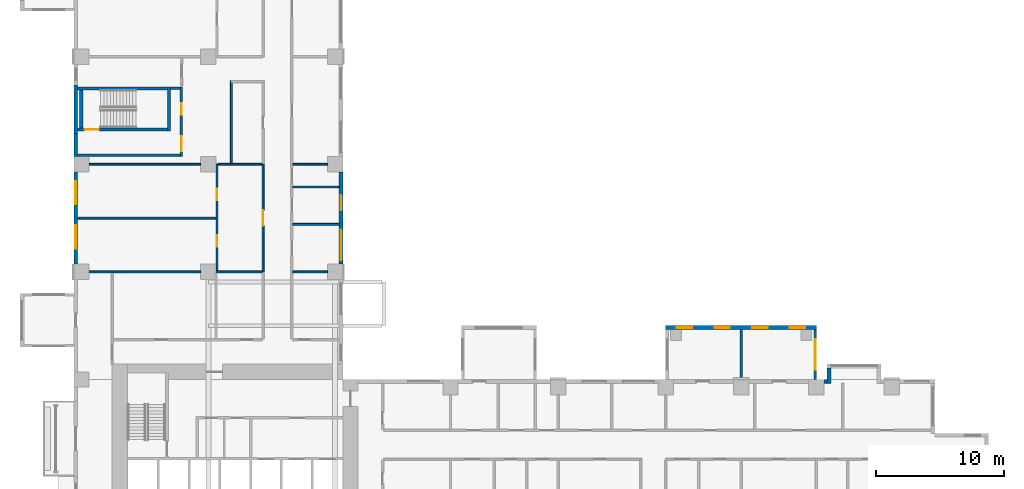
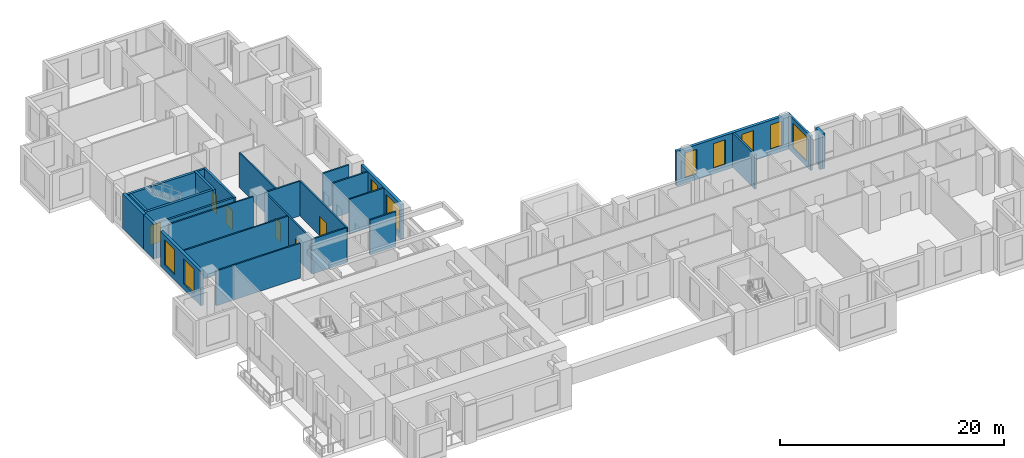
# One storey, part 6 of 14: 29 walls, 9 windows, 6 doors, 15 openings.
"""IFC4 building model written with IfcOpenShell, lengths in metres."""

from ifc_helpers import new_model, si_unit, direction, frame, frame_2d, origin, place, context, subcontext, project, spatial, rectangle, extrude, source, transform, mapped, material, layer, layer_set, type_object, element, fill, save


model = new_model("IFC4")

# Units and contexts
model_context = context("Model", 3, precision=1e-05, world=origin(), true_north=direction((0.0, 1.0)))
body_context = subcontext(model_context, "Body", "Model", "MODEL_VIEW")
ifc_project = project(units=[si_unit("LENGTHUNIT", "METRE"), si_unit("AREAUNIT", "SQUARE_METRE"), si_unit("VOLUMEUNIT", "CUBIC_METRE"), si_unit("PLANEANGLEUNIT", "RADIAN"), si_unit("MASSUNIT", "GRAM", prefix="KILO")], contexts=[model_context])

# Site, building, storey
site_placement = place(None, origin())
site = spatial("IfcSite", under=ifc_project, at=site_placement, CompositionType="ELEMENT")
building_placement = place(site_placement, origin())
building = spatial("IfcBuilding", under=site, at=building_placement, Name="Aurelian Terraces", CompositionType="ELEMENT")
storey_placement = place(building_placement, frame((0.0, 0.0, 57.3)))
storey = spatial("IfcBuildingStorey", under=building, at=storey_placement, Name="L11", CompositionType="ELEMENT", Elevation=57.3)

# Wall, openings, windows
ifc_material_1 = material(Name="Terracotta rainscreen cladding", Category="masonry")
ifc_layer_1 = layer(ifc_material_1, 0.3)
ifc_layer_set_1 = layer_set([ifc_layer_1], Name="EW-300")
wall_type_1 = type_object("IfcWallType", Name="EW-300", PredefinedType="STANDARD", material=ifc_layer_set_1)
shared_shape_1 = source(origin(), body_context, "Body", "SweptSolid", [
    extrude(rectangle(XDim=7.2, YDim=0.3, at=frame_2d((3.6, 0.0))), origin(), (0.0, 0.0, 1.0), 3.8),
])
wall_1_placement = place(storey_placement, frame((20.85, 30.0, 0.0), z_axis=(0.0, 0.0, 1.0), x_axis=(0.0, 1.0, 0.0)))
wall_1 = element("IfcWall", 1, at=wall_1_placement, inside=storey, type_object=wall_type_1, Name="External wall L11 F12.26", PredefinedType="STANDARD", context=body_context, shape_type="MappedRepresentation", body=[
    mapped(shared_shape_1, transform((0.0, 0.0, 0.0), scale=1.0)),
])
shared_shape_2 = source(origin(), body_context, "Body", "SweptSolid", [
    extrude(rectangle(XDim=2.4, YDim=2.7, at=frame_2d((1.2, 1.35))), frame((0.0, 0.16, 0.0), z_axis=(0.0, -1.0, 0.0), x_axis=(1.0, 0.0, 0.0)), (0.0, 0.0, 1.0), 0.32),
])
opening_1_placement = place(wall_1_placement, frame((0.3, 0.0, 0.6)))
opening_1 = element("IfcOpeningElement", 2, at=opening_1_placement, cuts=wall_1, Name="Opening W2427", PredefinedType="OPENING", context=body_context, shape_type="MappedRepresentation", body=[
    mapped(shared_shape_2, transform((0.0, 0.0, 0.0), scale=1.0)),
])
shared_shape_3 = source(origin(), body_context, "Body", "SweptSolid", [
    extrude(rectangle(XDim=1.2, YDim=2.7, at=frame_2d((0.6, 1.35))), frame((0.0, 0.16, 0.0), z_axis=(0.0, -1.0, 0.0), x_axis=(1.0, 0.0, 0.0)), (0.0, 0.0, 1.0), 0.32),
])
opening_2_placement = place(wall_1_placement, frame((4.1995, 0.0, 0.6)))
opening_2 = element("IfcOpeningElement", 3, at=opening_2_placement, cuts=wall_1, Name="Opening W1227", PredefinedType="OPENING", context=body_context, shape_type="MappedRepresentation", body=[
    mapped(shared_shape_3, transform((0.0, 0.0, 0.0), scale=1.0)),
])
ifc_material_2 = material(Name="Clear glazing", Category="glass")
window_type_1 = type_object("IfcWindowType", Name="W-2400x2700", PartitioningType="SINGLE_PANEL", PredefinedType="WINDOW", material=ifc_material_2)
shared_shape_4 = source(origin(), body_context, "Body", "SweptSolid", [
    extrude(rectangle(XDim=2.4, YDim=2.7, at=frame_2d((1.2, 1.35))), frame((0.0, 0.03, 0.0), z_axis=(0.0, -1.0, 0.0), x_axis=(1.0, 0.0, 0.0)), (0.0, 0.0, 1.0), 0.06),
])
window_1_placement = place(opening_1_placement, origin())
window_1 = element("IfcWindow", 4, at=window_1_placement, inside=storey, type_object=window_type_1, Name="Window L11 L11-F12-26-0", OverallHeight=2.7, OverallWidth=2.4, PartitioningType="SINGLE_PANEL", PredefinedType="WINDOW", context=body_context, shape_type="MappedRepresentation", body=[
    mapped(shared_shape_4, transform((0.0, 0.0, 0.0), scale=1.0)),
])
fill(opening_1, window_1)
window_type_2 = type_object("IfcWindowType", Name="W-1200x2700", PartitioningType="SINGLE_PANEL", PredefinedType="WINDOW", material=ifc_material_2)
shared_shape_5 = source(origin(), body_context, "Body", "SweptSolid", [
    extrude(rectangle(XDim=1.2, YDim=2.7, at=frame_2d((0.6, 1.35))), frame((0.0, 0.03, 0.0), z_axis=(0.0, -1.0, 0.0), x_axis=(1.0, 0.0, 0.0)), (0.0, 0.0, 1.0), 0.06),
])
window_2_placement = place(opening_2_placement, origin())
window_2 = element("IfcWindow", 5, at=window_2_placement, inside=storey, type_object=window_type_2, Name="Window L11 L11-F12-26-G0-33", OverallHeight=2.7, OverallWidth=1.2, PartitioningType="SINGLE_PANEL", PredefinedType="WINDOW", context=body_context, shape_type="MappedRepresentation", body=[
    mapped(shared_shape_5, transform((0.0, 0.0, 0.0), scale=1.0)),
])
fill(opening_2, window_2)

wall_2_placement = place(storey_placement, frame((0.15, 37.2, 0.0), z_axis=(0.0, 0.0, 1.0), x_axis=(0.0, -1.0, 0.0)))
wall_2 = element("IfcWall", 6, at=wall_2_placement, inside=storey, type_object=wall_type_1, Name="External wall L11 F18.39", PredefinedType="STANDARD", context=body_context, shape_type="MappedRepresentation", body=[
    mapped(shared_shape_1, transform((0.0, 0.0, 0.0), scale=1.0)),
])
shared_shape_6 = source(origin(), body_context, "Body", "SweptSolid", [
    extrude(rectangle(XDim=1.8, YDim=2.7, at=frame_2d((0.9, 1.35))), frame((0.0, 0.16, 0.0), z_axis=(0.0, -1.0, 0.0), x_axis=(1.0, 0.0, 0.0)), (0.0, 0.0, 1.0), 0.32),
])
opening_3_placement = place(wall_2_placement, frame((0.7375, 0.0, 0.6)))
opening_3 = element("IfcOpeningElement", 7, at=opening_3_placement, cuts=wall_2, Name="Opening W1827", PredefinedType="OPENING", context=body_context, shape_type="MappedRepresentation", body=[
    mapped(shared_shape_6, transform((0.0, 0.0, 0.0), scale=1.0)),
])
opening_4_placement = place(wall_2_placement, frame((4.175, 0.0, 0.6)))
opening_4 = element("IfcOpeningElement", 8, at=opening_4_placement, cuts=wall_2, Name="Opening W1827", PredefinedType="OPENING", context=body_context, shape_type="MappedRepresentation", body=[
    mapped(shared_shape_6, transform((0.0, 0.0, 0.0), scale=1.0)),
])
window_type_3 = type_object("IfcWindowType", Name="W-1800x2700", PartitioningType="SINGLE_PANEL", PredefinedType="WINDOW", material=ifc_material_2)
shared_shape_7 = source(origin(), body_context, "Body", "SweptSolid", [
    extrude(rectangle(XDim=1.8, YDim=2.7, at=frame_2d((0.9, 1.35))), frame((0.0, 0.03, 0.0), z_axis=(0.0, -1.0, 0.0), x_axis=(1.0, 0.0, 0.0)), (0.0, 0.0, 1.0), 0.06),
])
window_3_placement = place(opening_3_placement, origin())
window_3 = element("IfcWindow", 9, at=window_3_placement, inside=storey, type_object=window_type_3, Name="Window L11 L11-F18-39-P6.1", OverallHeight=2.7, OverallWidth=1.8, PartitioningType="SINGLE_PANEL", PredefinedType="WINDOW", context=body_context, shape_type="MappedRepresentation", body=[
    mapped(shared_shape_7, transform((0.0, 0.0, 0.0), scale=1.0)),
])
fill(opening_3, window_3)
window_4_placement = place(opening_4_placement, origin())
window_4 = element("IfcWindow", 10, at=window_4_placement, inside=storey, type_object=window_type_3, Name="Window L11 L11-F18-39-P6.2", OverallHeight=2.7, OverallWidth=1.8, PartitioningType="SINGLE_PANEL", PredefinedType="WINDOW", context=body_context, shape_type="MappedRepresentation", body=[
    mapped(shared_shape_7, transform((0.0, 0.0, 0.0), scale=1.0)),
])
fill(opening_4, window_4)

# Walls
shared_shape_8 = source(origin(), body_context, "Body", "SweptSolid", [
    extrude(rectangle(XDim=1.2, YDim=0.3, at=frame_2d((0.6, 0.0))), origin(), (0.0, 0.0, 1.0), 3.8),
])
wall_3_placement = place(storey_placement, frame((58.95, 20.7, 0.0), z_axis=(0.0, 0.0, 1.0), x_axis=(0.0, 1.0, 0.0)))
element("IfcWall", 11, at=wall_3_placement, inside=storey, type_object=wall_type_1, Name="Bay return L11 F11.22.2", PredefinedType="STANDARD", context=body_context, shape_type="MappedRepresentation", body=[
    mapped(shared_shape_8, transform((0.0, 0.0, 0.0), scale=1.0)),
])
shared_shape_9 = source(origin(), body_context, "Body", "SweptSolid", [
    extrude(rectangle(XDim=0.24, YDim=0.3, at=frame_2d((0.12, 0.0))), origin(), (0.0, 0.0, 1.0), 3.8),
])
wall_4_placement = place(storey_placement, frame((58.8, 20.85, 0.0), z_axis=(0.0, 0.0, 1.0), x_axis=(-1.0, 0.0, 0.0)))
element("IfcWall", 12, at=wall_4_placement, inside=storey, type_object=wall_type_1, Name="External wall L11 F11.23", PredefinedType="STANDARD", context=body_context, shape_type="MappedRepresentation", body=[
    mapped(shared_shape_9, transform((0.0, 0.0, 0.0), scale=1.0)),
])
ifc_material_3 = material(Name="Concrete fc' 40 MPa", Category="concrete")
ifc_layer_2 = layer(ifc_material_3, 0.3)
ifc_layer_set_2 = layer_set([ifc_layer_2], Name="STAIR BAY WALL 300")
wall_type_2 = type_object("IfcWallType", Name="STAIR BAY WALL 300", PredefinedType="SOLIDWALL", material=ifc_layer_set_2)
shared_shape_10 = source(origin(), body_context, "Body", "SweptSolid", [
    extrude(rectangle(XDim=3.8, YDim=0.3, at=frame_2d((1.9, 0.0))), origin(), (0.0, 0.0, 1.0), 3.8),
])
wall_5_placement = place(storey_placement, frame((0.15, 44.0, 0.0), z_axis=(0.0, 0.0, 1.0), x_axis=(0.0, -1.0, 0.0)))
element("IfcWall", 13, at=wall_5_placement, inside=storey, type_object=wall_type_2, Name="Stair bay wall L11 F18.39", PredefinedType="SOLIDWALL", context=body_context, shape_type="MappedRepresentation", body=[
    mapped(shared_shape_10, transform((0.0, 0.0, 0.0), scale=1.0)),
])
shared_shape_11 = source(origin(), body_context, "Body", "SweptSolid", [
    extrude(rectangle(XDim=1.8, YDim=0.3, at=frame_2d((0.9, 0.0))), origin(), (0.0, 0.0, 1.0), 3.8),
])
wall_6_placement = place(storey_placement, frame((0.15, 40.2, 0.0), z_axis=(0.0, 0.0, 1.0), x_axis=(0.0, -1.0, 0.0)))
element("IfcWall", 14, at=wall_6_placement, inside=storey, type_object=wall_type_1, Name="External wall L11 F18.39", PredefinedType="STANDARD", context=body_context, shape_type="MappedRepresentation", body=[
    mapped(shared_shape_11, transform((0.0, 0.0, 0.0), scale=1.0)),
])

# Wall, opening, window
ifc_layer_3 = layer(ifc_material_3, 0.2)
ifc_layer_set_3 = layer_set([ifc_layer_3], Name="BOX BEARING WALL 200")
wall_type_3 = type_object("IfcWallType", Name="BOX BEARING WALL 200", PredefinedType="SOLIDWALL", material=ifc_layer_set_3)
shared_shape_12 = source(origin(), body_context, "Body", "SweptSolid", [
    extrude(rectangle(XDim=3.9, YDim=0.2, at=frame_2d((1.95, 0.0))), origin(), (0.0, 0.0, 1.0), 3.79),
])
wall_7_placement = place(storey_placement, frame((57.86, 21.0, 0.0), z_axis=(0.0, 0.0, 1.0), x_axis=(0.0, 1.0, 0.0)))
wall_7 = element("IfcWall", 15, at=wall_7_placement, inside=storey, type_object=wall_type_3, Name="Box return L11 K01.1", PredefinedType="SOLIDWALL", context=body_context, shape_type="MappedRepresentation", body=[
    mapped(shared_shape_12, transform((0.0, 0.0, 0.0), scale=1.0)),
])
shared_shape_13 = source(origin(), body_context, "Body", "SweptSolid", [
    extrude(rectangle(XDim=2.4, YDim=2.7, at=frame_2d((1.2, 1.35))), frame((0.0, 0.11, 0.0), z_axis=(0.0, -1.0, 0.0), x_axis=(1.0, 0.0, 0.0)), (0.0, 0.0, 1.0), 0.22),
])
opening_5_placement = place(wall_7_placement, frame((0.75, 0.0, 0.6)))
opening_5 = element("IfcOpeningElement", 16, at=opening_5_placement, cuts=wall_7, Name="Opening W2427", PredefinedType="OPENING", context=body_context, shape_type="MappedRepresentation", body=[
    mapped(shared_shape_13, transform((0.0, 0.0, 0.0), scale=1.0)),
])
window_5_placement = place(opening_5_placement, origin())
window_5 = element("IfcWindow", 17, at=window_5_placement, inside=storey, type_object=window_type_1, Name="Window L11 K01-S1", OverallHeight=2.7, OverallWidth=2.4, PartitioningType="SINGLE_PANEL", PredefinedType="WINDOW", context=body_context, shape_type="MappedRepresentation", body=[
    mapped(shared_shape_4, transform((0.0, 0.0, 0.0), scale=1.0)),
])
fill(opening_5, window_5)

# Wall, openings, windows
ifc_layer_4 = layer(ifc_material_3, 0.3)
ifc_layer_set_4 = layer_set([ifc_layer_4], Name="BOX BEARING WALL 300")
wall_type_4 = type_object("IfcWallType", Name="BOX BEARING WALL 300", PredefinedType="SOLIDWALL", material=ifc_layer_set_4)
shared_shape_14 = source(origin(), body_context, "Body", "SweptSolid", [
    extrude(rectangle(XDim=11.76, YDim=0.3, at=frame_2d((5.88, 0.0))), origin(), (0.0, 0.0, 1.0), 3.79),
])
wall_8_placement = place(storey_placement, frame((57.96, 25.05, 0.0), z_axis=(0.0, 0.0, 1.0), x_axis=(-1.0, 0.0, 0.0)))
wall_8 = element("IfcWall", 18, at=wall_8_placement, inside=storey, type_object=wall_type_4, Name="Box wall L11 K01", PredefinedType="SOLIDWALL", context=body_context, shape_type="MappedRepresentation", body=[
    mapped(shared_shape_14, transform((0.0, 0.0, 0.0), scale=1.0)),
])
opening_6_placement = place(wall_8_placement, frame((0.87, 0.0, 0.6)))
opening_6 = element("IfcOpeningElement", 19, at=opening_6_placement, cuts=wall_8, Name="Opening W1227", PredefinedType="OPENING", context=body_context, shape_type="MappedRepresentation", body=[
    mapped(shared_shape_3, transform((0.0, 0.0, 0.0), scale=1.0)),
])
opening_7_placement = place(wall_8_placement, frame((3.81, 0.0, 0.6)))
opening_7 = element("IfcOpeningElement", 20, at=opening_7_placement, cuts=wall_8, Name="Opening W1227", PredefinedType="OPENING", context=body_context, shape_type="MappedRepresentation", body=[
    mapped(shared_shape_3, transform((0.0, 0.0, 0.0), scale=1.0)),
])
opening_8_placement = place(wall_8_placement, frame((6.75, 0.0, 0.6)))
opening_8 = element("IfcOpeningElement", 21, at=opening_8_placement, cuts=wall_8, Name="Opening W1227", PredefinedType="OPENING", context=body_context, shape_type="MappedRepresentation", body=[
    mapped(shared_shape_3, transform((0.0, 0.0, 0.0), scale=1.0)),
])
opening_9_placement = place(wall_8_placement, frame((9.69, 0.0, 0.6)))
opening_9 = element("IfcOpeningElement", 22, at=opening_9_placement, cuts=wall_8, Name="Opening W1227", PredefinedType="OPENING", context=body_context, shape_type="MappedRepresentation", body=[
    mapped(shared_shape_3, transform((0.0, 0.0, 0.0), scale=1.0)),
])
window_6_placement = place(opening_6_placement, origin())
window_6 = element("IfcWindow", 23, at=window_6_placement, inside=storey, type_object=window_type_2, Name="Window L11 K01-F1", OverallHeight=2.7, OverallWidth=1.2, PartitioningType="SINGLE_PANEL", PredefinedType="WINDOW", context=body_context, shape_type="MappedRepresentation", body=[
    mapped(shared_shape_5, transform((0.0, 0.0, 0.0), scale=1.0)),
])
fill(opening_6, window_6)
window_7_placement = place(opening_7_placement, origin())
window_7 = element("IfcWindow", 24, at=window_7_placement, inside=storey, type_object=window_type_2, Name="Window L11 K01-F2", OverallHeight=2.7, OverallWidth=1.2, PartitioningType="SINGLE_PANEL", PredefinedType="WINDOW", context=body_context, shape_type="MappedRepresentation", body=[
    mapped(shared_shape_5, transform((0.0, 0.0, 0.0), scale=1.0)),
])
fill(opening_7, window_7)
window_8_placement = place(opening_8_placement, origin())
window_8 = element("IfcWindow", 25, at=window_8_placement, inside=storey, type_object=window_type_2, Name="Window L11 K01-F3", OverallHeight=2.7, OverallWidth=1.2, PartitioningType="SINGLE_PANEL", PredefinedType="WINDOW", context=body_context, shape_type="MappedRepresentation", body=[
    mapped(shared_shape_5, transform((0.0, 0.0, 0.0), scale=1.0)),
])
fill(opening_8, window_8)
window_9_placement = place(opening_9_placement, origin())
window_9 = element("IfcWindow", 26, at=window_9_placement, inside=storey, type_object=window_type_2, Name="Window L11 K01-F4", OverallHeight=2.7, OverallWidth=1.2, PartitioningType="SINGLE_PANEL", PredefinedType="WINDOW", context=body_context, shape_type="MappedRepresentation", body=[
    mapped(shared_shape_5, transform((0.0, 0.0, 0.0), scale=1.0)),
])
fill(opening_9, window_9)

# Wall
shared_shape_15 = source(origin(), body_context, "Body", "SweptSolid", [
    extrude(rectangle(XDim=3.9, YDim=0.2, at=frame_2d((1.95, 0.0))), origin(), (0.0, 0.0, 1.0), 3.79),
])
wall_9_placement = place(storey_placement, frame((52.08, 21.0, 0.0), z_axis=(0.0, 0.0, 1.0), x_axis=(0.0, 1.0, 0.0)))
element("IfcWall", 27, at=wall_9_placement, inside=storey, type_object=wall_type_3, Name="Box partition L11 K01", PredefinedType="SOLIDWALL", context=body_context, shape_type="MappedRepresentation", body=[
    mapped(shared_shape_15, transform((0.0, 0.0, 0.0), scale=1.0)),
])

# Wall, opening, door
ifc_layer_5 = layer(ifc_material_3, 0.25)
ifc_layer_set_5 = layer_set([ifc_layer_5], Name="Stair enclosure wall 250")
wall_type_5 = type_object("IfcWallType", Name="Stair enclosure wall 250", PredefinedType="SOLIDWALL", material=ifc_layer_set_5)
shared_shape_16 = source(origin(), body_context, "Body", "SweptSolid", [
    extrude(rectangle(XDim=7.0, YDim=0.25, at=frame_2d((3.5, 0.0))), origin(), (0.0, 0.0, 1.0), 3.8),
])
wall_10_placement = place(storey_placement, frame((0.3, 40.525, 0.0), z_axis=(0.0, 0.0, 1.0), x_axis=(1.0, 0.0, 0.0)))
wall_10 = element("IfcWall", 28, at=wall_10_placement, inside=storey, type_object=wall_type_5, Name="L11 core wall ST-S3-W", PredefinedType="SOLIDWALL", context=body_context, shape_type="MappedRepresentation", body=[
    mapped(shared_shape_16, transform((0.0, 0.0, 0.0), scale=1.0)),
])
shared_shape_17 = source(origin(), body_context, "Body", "SweptSolid", [
    extrude(rectangle(XDim=1.1, YDim=2.1, at=frame_2d((0.55, 1.05))), frame((0.0, 0.135, 0.0), z_axis=(0.0, -1.0, 0.0), x_axis=(1.0, 0.0, 0.0)), (0.0, 0.0, 1.0), 0.27),
])
opening_10_placement = place(wall_10_placement, frame((0.55, 0.0, 0.0)))
opening_10 = element("IfcOpeningElement", 29, at=opening_10_placement, cuts=wall_10, Name="Opening 61417", PredefinedType="OPENING", context=body_context, shape_type="MappedRepresentation", body=[
    mapped(shared_shape_17, transform((0.0, 0.0, 0.0), scale=1.0)),
])
ifc_material_4 = material(Name="Steel door leaf", Category="steel")
door_type_1 = type_object("IfcDoorType", Name="Core fire door 1100x2100 right", OperationType="SINGLE_SWING_RIGHT", PredefinedType="DOOR", material=ifc_material_4)
shared_shape_18 = source(origin(), body_context, "Body", "SweptSolid", [
    extrude(rectangle(XDim=1.1, YDim=2.1, at=frame_2d((0.55, 1.05))), frame((0.0, 0.025, 0.0), z_axis=(0.0, -1.0, 0.0), x_axis=(1.0, 0.0, 0.0)), (0.0, 0.0, 1.0), 0.05),
])
door_1_placement = place(opening_10_placement, origin())
door_1 = element("IfcDoor", 30, at=door_1_placement, inside=storey, type_object=door_type_1, Name="Stair door 61417", OperationType="SINGLE_SWING_RIGHT", OverallHeight=2.1, OverallWidth=1.1, PredefinedType="DOOR", context=body_context, shape_type="MappedRepresentation", body=[
    mapped(shared_shape_18, transform((0.0, 0.0, 0.0), scale=1.0)),
])
fill(opening_10, door_1)

# Walls
wall_11_placement = place(storey_placement, frame((0.3, 43.725, 0.0), z_axis=(0.0, 0.0, 1.0), x_axis=(1.0, 0.0, 0.0)))
element("IfcWall", 31, at=wall_11_placement, inside=storey, type_object=wall_type_5, Name="L11 core wall ST-S3-E", PredefinedType="SOLIDWALL", context=body_context, shape_type="MappedRepresentation", body=[
    mapped(shared_shape_16, transform((0.0, 0.0, 0.0), scale=1.0)),
])
shared_shape_19 = source(origin(), body_context, "Body", "SweptSolid", [
    extrude(rectangle(XDim=3.45, YDim=0.25, at=frame_2d((1.725, 0.0))), origin(), (0.0, 0.0, 1.0), 3.8),
])
wall_12_placement = place(storey_placement, frame((7.425, 40.4, 0.0), z_axis=(0.0, 0.0, 1.0), x_axis=(0.0, 1.0, 0.0)))
element("IfcWall", 32, at=wall_12_placement, inside=storey, type_object=wall_type_5, Name="L11 core wall ST-S3-N", PredefinedType="SOLIDWALL", context=body_context, shape_type="MappedRepresentation", body=[
    mapped(shared_shape_19, transform((0.0, 0.0, 0.0), scale=1.0)),
])
shared_shape_20 = source(origin(), body_context, "Body", "SweptSolid", [
    extrude(rectangle(XDim=2.95, YDim=0.25, at=frame_2d((1.475, 0.0))), origin(), (0.0, 0.0, 1.0), 3.8),
])
wall_13_placement = place(storey_placement, frame((0.575, 40.65, 0.0), z_axis=(0.0, 0.0, 1.0), x_axis=(0.0, 1.0, 0.0)))
element("IfcWall", 33, at=wall_13_placement, inside=storey, type_object=wall_type_5, Name="L11 core wall ST-S3-SS", PredefinedType="SOLIDWALL", context=body_context, shape_type="MappedRepresentation", body=[
    mapped(shared_shape_20, transform((0.0, 0.0, 0.0), scale=1.0)),
])
ifc_material_5 = material(Name="Gypsum board on steel studs", Category="steel")
ifc_layer_6 = layer(ifc_material_5, 0.2)
ifc_layer_set_6 = layer_set([ifc_layer_6], Name="Core partition 200")
wall_type_6 = type_object("IfcWallType", Name="Core partition 200", PredefinedType="PARTITIONING", material=ifc_layer_set_6)
shared_shape_21 = source(origin(), body_context, "Body", "SweptSolid", [
    extrude(rectangle(XDim=8.0, YDim=0.2, at=frame_2d((4.0, 0.0))), origin(), (0.0, 0.0, 1.0), 3.8),
])
wall_14_placement = place(storey_placement, frame((0.3, 38.5, 0.0), z_axis=(0.0, 0.0, 1.0), x_axis=(1.0, 0.0, 0.0)))
element("IfcWall", 34, at=wall_14_placement, inside=storey, type_object=wall_type_6, Name="L11 core wall ST-S3-VW", PredefinedType="PARTITIONING", context=body_context, shape_type="MappedRepresentation", body=[
    mapped(shared_shape_21, transform((0.0, 0.0, 0.0), scale=1.0)),
])

# Wall, openings, doors
shared_shape_22 = source(origin(), body_context, "Body", "SweptSolid", [
    extrude(rectangle(XDim=5.45, YDim=0.2, at=frame_2d((2.725, 0.0))), origin(), (0.0, 0.0, 1.0), 3.8),
])
wall_15_placement = place(storey_placement, frame((8.4, 38.4, 0.0), z_axis=(0.0, 0.0, 1.0), x_axis=(0.0, 1.0, 0.0)))
wall_15 = element("IfcWall", 35, at=wall_15_placement, inside=storey, type_object=wall_type_6, Name="L11 core wall ST-S3-BN", PredefinedType="PARTITIONING", context=body_context, shape_type="MappedRepresentation", body=[
    mapped(shared_shape_22, transform((0.0, 0.0, 0.0), scale=1.0)),
])
shared_shape_23 = source(origin(), body_context, "Body", "SweptSolid", [
    extrude(rectangle(XDim=1.2, YDim=2.1, at=frame_2d((0.6, 1.05))), frame((0.0, 0.11, 0.0), z_axis=(0.0, -1.0, 0.0), x_axis=(1.0, 0.0, 0.0)), (0.0, 0.0, 1.0), 0.22),
])
opening_11_placement = place(wall_15_placement, frame((0.4, 0.0, 0.0)))
opening_11 = element("IfcOpeningElement", 36, at=opening_11_placement, cuts=wall_15, Name="Opening 61418", PredefinedType="OPENING", context=body_context, shape_type="MappedRepresentation", body=[
    mapped(shared_shape_23, transform((0.0, 0.0, 0.0), scale=1.0)),
])
shared_shape_24 = source(origin(), body_context, "Body", "SweptSolid", [
    extrude(rectangle(XDim=0.9, YDim=2.1, at=frame_2d((0.45, 1.05))), frame((0.0, 0.11, 0.0), z_axis=(0.0, -1.0, 0.0), x_axis=(1.0, 0.0, 0.0)), (0.0, 0.0, 1.0), 0.22),
])
opening_12_placement = place(wall_15_placement, frame((3.25, 0.0, 0.0)))
opening_12 = element("IfcOpeningElement", 37, at=opening_12_placement, cuts=wall_15, Name="Opening 61419", PredefinedType="OPENING", context=body_context, shape_type="MappedRepresentation", body=[
    mapped(shared_shape_24, transform((0.0, 0.0, 0.0), scale=1.0)),
])
door_type_2 = type_object("IfcDoorType", Name="Core riser door 900x2100 right", OperationType="SINGLE_SWING_RIGHT", PredefinedType="DOOR", material=ifc_material_4)
shared_shape_25 = source(origin(), body_context, "Body", "SweptSolid", [
    extrude(rectangle(XDim=0.9, YDim=2.1, at=frame_2d((0.45, 1.05))), frame((0.0, 0.025, 0.0), z_axis=(0.0, -1.0, 0.0), x_axis=(1.0, 0.0, 0.0)), (0.0, 0.0, 1.0), 0.05),
])
door_2_placement = place(opening_12_placement, origin())
door_2 = element("IfcDoor", 38, at=door_2_placement, inside=storey, type_object=door_type_2, Name="Riser door 61419", OperationType="SINGLE_SWING_RIGHT", OverallHeight=2.1, OverallWidth=0.9, PredefinedType="DOOR", context=body_context, shape_type="MappedRepresentation", body=[
    mapped(shared_shape_25, transform((0.0, 0.0, 0.0), scale=1.0)),
])
fill(opening_12, door_2)
door_type_3 = type_object("IfcDoorType", Name="Core fire door 1200x2100", OperationType="SINGLE_SWING_LEFT", PredefinedType="DOOR", material=ifc_material_4)
shared_shape_26 = source(origin(), body_context, "Body", "SweptSolid", [
    extrude(rectangle(XDim=1.2, YDim=2.1, at=frame_2d((0.6, 1.05))), frame((0.0, 0.025, 0.0), z_axis=(0.0, -1.0, 0.0), x_axis=(1.0, 0.0, 0.0)), (0.0, 0.0, 1.0), 0.05),
])
door_3_placement = place(opening_11_placement, origin())
door_3 = element("IfcDoor", 39, at=door_3_placement, inside=storey, type_object=door_type_3, Name="Vestibule door 61418", OperationType="SINGLE_SWING_LEFT", OverallHeight=2.1, OverallWidth=1.2, PredefinedType="DOOR", context=body_context, shape_type="MappedRepresentation", body=[
    mapped(shared_shape_26, transform((0.0, 0.0, 0.0), scale=1.0)),
])
fill(opening_11, door_3)

# Walls
shared_shape_27 = source(origin(), body_context, "Body", "SweptSolid", [
    extrude(rectangle(XDim=0.75, YDim=0.2, at=frame_2d((0.375, 0.0))), origin(), (0.0, 0.0, 1.0), 3.8),
])
wall_16_placement = place(storey_placement, frame((7.55, 43.75, 0.0), z_axis=(0.0, 0.0, 1.0), x_axis=(1.0, 0.0, 0.0)))
element("IfcWall", 40, at=wall_16_placement, inside=storey, type_object=wall_type_6, Name="L11 core wall ST-S3-RE", PredefinedType="PARTITIONING", context=body_context, shape_type="MappedRepresentation", body=[
    mapped(shared_shape_27, transform((0.0, 0.0, 0.0), scale=1.0)),
])
ifc_layer_7 = layer(ifc_material_5, 0.15)
ifc_layer_set_7 = layer_set([ifc_layer_7], Name="Partition 150")
wall_type_7 = type_object("IfcWallType", Name="Partition 150", PredefinedType="PARTITIONING", material=ifc_layer_set_7)
shared_shape_28 = source(origin(), body_context, "Body", "SweptSolid", [
    extrude(rectangle(XDim=6.45, YDim=0.15, at=frame_2d((3.225, 0.0))), origin(), (0.0, 0.0, 1.0), 3.8),
])
wall_17_placement = place(storey_placement, frame((12.3, 44.325, 0.0), z_axis=(0.0, 0.0, 1.0), x_axis=(0.0, -1.0, 0.0)))
element("IfcWall", 41, at=wall_17_placement, inside=storey, type_object=wall_type_7, Name="Partition", PredefinedType="PARTITIONING", context=body_context, shape_type="MappedRepresentation", body=[
    mapped(shared_shape_28, transform((0.0, 0.0, 0.0), scale=1.0)),
])
shared_shape_29 = source(origin(), body_context, "Body", "SweptSolid", [
    extrude(rectangle(XDim=8.702, YDim=0.15, at=frame_2d((4.351, 0.0))), origin(), (0.0, 0.0, 1.0), 3.8),
])
wall_18_placement = place(storey_placement, frame((9.901, 37.8, 0.0), z_axis=(0.0, 0.0, 1.0), x_axis=(-1.0, 0.0, 0.0)))
element("IfcWall", 42, at=wall_18_placement, inside=storey, type_object=wall_type_7, Name="Partition", PredefinedType="PARTITIONING", context=body_context, shape_type="MappedRepresentation", body=[
    mapped(shared_shape_29, transform((0.0, 0.0, 0.0), scale=1.0)),
])
shared_shape_30 = source(origin(), body_context, "Body", "SweptSolid", [
    extrude(rectangle(XDim=3.6, YDim=0.15, at=frame_2d((1.8, 0.0))), origin(), (0.0, 0.0, 1.0), 3.8),
])
for number, where, z_axis, x_axis, name in (
    (43, (17.1, 33.1133, 0.0), (0.0, 0.0, 1.0), (1.0, 0.0, 0.0), "Partition"),
    (44, (17.1, 36.024, 0.0), (0.0, 0.0, 1.0), (1.0, 0.0, 0.0), "Partition"),
):
    element("IfcWall", number, at=place(storey_placement, frame(where, z_axis=z_axis, x_axis=x_axis)), inside=storey, type_object=wall_type_7, Name=name, PredefinedType="PARTITIONING", context=body_context, shape_type="MappedRepresentation", body=[
        mapped(shared_shape_30, transform((0.0, 0.0, 0.0), scale=1.0)),
    ])
shared_shape_31 = source(origin(), body_context, "Body", "SweptSolid", [
    extrude(rectangle(XDim=2.701, YDim=0.15, at=frame_2d((1.3505, 0.0))), origin(), (0.0, 0.0, 1.0), 3.8),
])
for number, where, z_axis, x_axis, name in (
    (45, (19.801, 29.4, 0.0), (0.0, 0.0, 1.0), (-1.0, 0.0, 0.0), "Partition"),
    (46, (19.801, 37.8, 0.0), (0.0, 0.0, 1.0), (-1.0, 0.0, 0.0), "Partition"),
):
    element("IfcWall", number, at=place(storey_placement, frame(where, z_axis=z_axis, x_axis=x_axis)), inside=storey, type_object=wall_type_7, Name=name, PredefinedType="PARTITIONING", context=body_context, shape_type="MappedRepresentation", body=[
        mapped(shared_shape_31, transform((0.0, 0.0, 0.0), scale=1.0)),
    ])

# Wall, openings, doors
shared_shape_32 = source(origin(), body_context, "Body", "SweptSolid", [
    extrude(rectangle(XDim=8.4, YDim=0.15, at=frame_2d((4.2, 0.0))), origin(), (0.0, 0.0, 1.0), 3.8),
])
wall_19_placement = place(storey_placement, frame((11.175, 29.4, 0.0), z_axis=(0.0, 0.0, 1.0), x_axis=(0.0, 1.0, 0.0)))
wall_19 = element("IfcWall", 47, at=wall_19_placement, inside=storey, type_object=wall_type_7, Name="Partition", PredefinedType="PARTITIONING", context=body_context, shape_type="MappedRepresentation", body=[
    mapped(shared_shape_32, transform((0.0, 0.0, 0.0), scale=1.0)),
])
shared_shape_33 = source(origin(), body_context, "Body", "SweptSolid", [
    extrude(rectangle(XDim=0.9, YDim=2.1, at=frame_2d((0.45, 1.05))), frame((0.0, 0.085, 0.0), z_axis=(0.0, -1.0, 0.0), x_axis=(1.0, 0.0, 0.0)), (0.0, 0.0, 1.0), 0.17),
])
opening_13_placement = place(wall_19_placement, frame((1.9625, 0.0, 0.0)))
opening_13 = element("IfcOpeningElement", 48, at=opening_13_placement, cuts=wall_19, Name="Opening 711033", PredefinedType="OPENING", context=body_context, shape_type="MappedRepresentation", body=[
    mapped(shared_shape_33, transform((0.0, 0.0, 0.0), scale=1.0)),
])
opening_14_placement = place(wall_19_placement, frame((5.5875, 0.0, 0.0)))
opening_14 = element("IfcOpeningElement", 49, at=opening_14_placement, cuts=wall_19, Name="Opening 711034", PredefinedType="OPENING", context=body_context, shape_type="MappedRepresentation", body=[
    mapped(shared_shape_33, transform((0.0, 0.0, 0.0), scale=1.0)),
])
ifc_material_6 = material(Name="Timber door leaf", Category="wood")
door_type_4 = type_object("IfcDoorType", Name="Room door 900x2100 right", OperationType="SINGLE_SWING_RIGHT", PredefinedType="DOOR", material=ifc_material_6)
door_4_placement = place(opening_13_placement, origin())
door_4 = element("IfcDoor", 50, at=door_4_placement, inside=storey, type_object=door_type_4, Name="Door 711033", OperationType="SINGLE_SWING_RIGHT", OverallHeight=2.1, OverallWidth=0.9, PredefinedType="DOOR", context=body_context, shape_type="MappedRepresentation", body=[
    mapped(shared_shape_25, transform((0.0, 0.0, 0.0), scale=1.0)),
])
fill(opening_13, door_4)
door_type_5 = type_object("IfcDoorType", Name="Room door 900x2100 left", OperationType="SINGLE_SWING_LEFT", PredefinedType="DOOR", material=ifc_material_6)
door_5_placement = place(opening_14_placement, origin())
door_5 = element("IfcDoor", 51, at=door_5_placement, inside=storey, type_object=door_type_5, Name="Door 711034", OperationType="SINGLE_SWING_LEFT", OverallHeight=2.1, OverallWidth=0.9, PredefinedType="DOOR", context=body_context, shape_type="MappedRepresentation", body=[
    mapped(shared_shape_25, transform((0.0, 0.0, 0.0), scale=1.0)),
])
fill(opening_14, door_5)

# Wall, opening, door
ifc_layer_8 = layer(ifc_material_5, 0.15)
ifc_layer_set_8 = layer_set([ifc_layer_8], Name="Fire partition 150")
wall_type_8 = type_object("IfcWallType", Name="Fire partition 150", PredefinedType="PARTITIONING", material=ifc_layer_set_8)
wall_20_placement = place(storey_placement, frame((14.775, 29.4, 0.0), z_axis=(0.0, 0.0, 1.0), x_axis=(0.0, 1.0, 0.0)))
wall_20 = element("IfcWall", 52, at=wall_20_placement, inside=storey, type_object=wall_type_8, Name="Corridor wall", PredefinedType="PARTITIONING", context=body_context, shape_type="MappedRepresentation", body=[
    mapped(shared_shape_32, transform((0.0, 0.0, 0.0), scale=1.0)),
])
shared_shape_34 = source(origin(), body_context, "Body", "SweptSolid", [
    extrude(rectangle(XDim=1.2, YDim=2.1, at=frame_2d((0.6, 1.05))), frame((0.0, 0.085, 0.0), z_axis=(0.0, -1.0, 0.0), x_axis=(1.0, 0.0, 0.0)), (0.0, 0.0, 1.0), 0.17),
])
opening_15_placement = place(wall_20_placement, frame((3.6, 0.0, 0.0)))
opening_15 = element("IfcOpeningElement", 53, at=opening_15_placement, cuts=wall_20, Name="Opening 711032", PredefinedType="OPENING", context=body_context, shape_type="MappedRepresentation", body=[
    mapped(shared_shape_34, transform((0.0, 0.0, 0.0), scale=1.0)),
])
door_type_6 = type_object("IfcDoorType", Name="Room door 1200x2100 left", OperationType="SINGLE_SWING_LEFT", PredefinedType="DOOR", material=ifc_material_6)
door_6_placement = place(opening_15_placement, origin())
door_6 = element("IfcDoor", 54, at=door_6_placement, inside=storey, type_object=door_type_6, Name="Door 711032", OperationType="SINGLE_SWING_LEFT", OverallHeight=2.1, OverallWidth=1.2, PredefinedType="DOOR", context=body_context, shape_type="MappedRepresentation", body=[
    mapped(shared_shape_26, transform((0.0, 0.0, 0.0), scale=1.0)),
])
fill(opening_15, door_6)

# Walls
shared_shape_35 = source(origin(), body_context, "Body", "SweptSolid", [
    extrude(rectangle(XDim=6.826, YDim=0.15, at=frame_2d((3.413, 0.0))), origin(), (0.0, 0.0, 1.0), 3.8),
])
wall_21_placement = place(storey_placement, frame((9.901, 29.4, 0.0), z_axis=(0.0, 0.0, 1.0), x_axis=(-1.0, 0.0, 0.0)))
element("IfcWall", 55, at=wall_21_placement, inside=storey, type_object=wall_type_7, Name="Partition", PredefinedType="PARTITIONING", context=body_context, shape_type="MappedRepresentation", body=[
    mapped(shared_shape_35, transform((0.0, 0.0, 0.0), scale=1.0)),
])
shared_shape_36 = source(origin(), body_context, "Body", "SweptSolid", [
    extrude(rectangle(XDim=1.856, YDim=0.15, at=frame_2d((0.928, 0.0))), origin(), (0.0, 0.0, 1.0), 3.8),
])
wall_22_placement = place(storey_placement, frame((3.055, 29.4, 0.0), z_axis=(0.0, 0.0, 1.0), x_axis=(-1.0, 0.0, 0.0)))
element("IfcWall", 56, at=wall_22_placement, inside=storey, type_object=wall_type_7, Name="Partition", PredefinedType="PARTITIONING", context=body_context, shape_type="MappedRepresentation", body=[
    mapped(shared_shape_36, transform((0.0, 0.0, 0.0), scale=1.0)),
])
shared_shape_37 = source(origin(), body_context, "Body", "SweptSolid", [
    extrude(rectangle(XDim=10.8, YDim=0.15, at=frame_2d((5.4, 0.0))), origin(), (0.0, 0.0, 1.0), 3.8),
])
wall_23_placement = place(storey_placement, frame((11.1, 33.6, 0.0), z_axis=(0.0, 0.0, 1.0), x_axis=(-1.0, 0.0, 0.0)))
element("IfcWall", 57, at=wall_23_placement, inside=storey, type_object=wall_type_7, Name="Partition", PredefinedType="PARTITIONING", context=body_context, shape_type="MappedRepresentation", body=[
    mapped(shared_shape_37, transform((0.0, 0.0, 0.0), scale=1.0)),
])
shared_shape_38 = source(origin(), body_context, "Body", "SweptSolid", [
    extrude(rectangle(XDim=3.601, YDim=0.15, at=frame_2d((1.8005, 0.0))), origin(), (0.0, 0.0, 1.0), 3.8),
])
wall_24_placement = place(storey_placement, frame((14.7, 29.4, 0.0), z_axis=(0.0, 0.0, 1.0), x_axis=(-1.0, 0.0, 0.0)))
element("IfcWall", 58, at=wall_24_placement, inside=storey, type_object=wall_type_7, Name="Partition", PredefinedType="PARTITIONING", context=body_context, shape_type="MappedRepresentation", body=[
    mapped(shared_shape_38, transform((0.0, 0.0, 0.0), scale=1.0)),
])
shared_shape_39 = source(origin(), body_context, "Body", "SweptSolid", [
    extrude(rectangle(XDim=3.45, YDim=0.15, at=frame_2d((1.725, 0.0))), origin(), (0.0, 0.0, 1.0), 3.8),
])
wall_25_placement = place(storey_placement, frame((14.7, 37.8, 0.0), z_axis=(0.0, 0.0, 1.0), x_axis=(-1.0, 0.0, 0.0)))
element("IfcWall", 59, at=wall_25_placement, inside=storey, type_object=wall_type_7, Name="Partition", PredefinedType="PARTITIONING", context=body_context, shape_type="MappedRepresentation", body=[
    mapped(shared_shape_39, transform((0.0, 0.0, 0.0), scale=1.0)),
])

save(model, "model.ifc")
